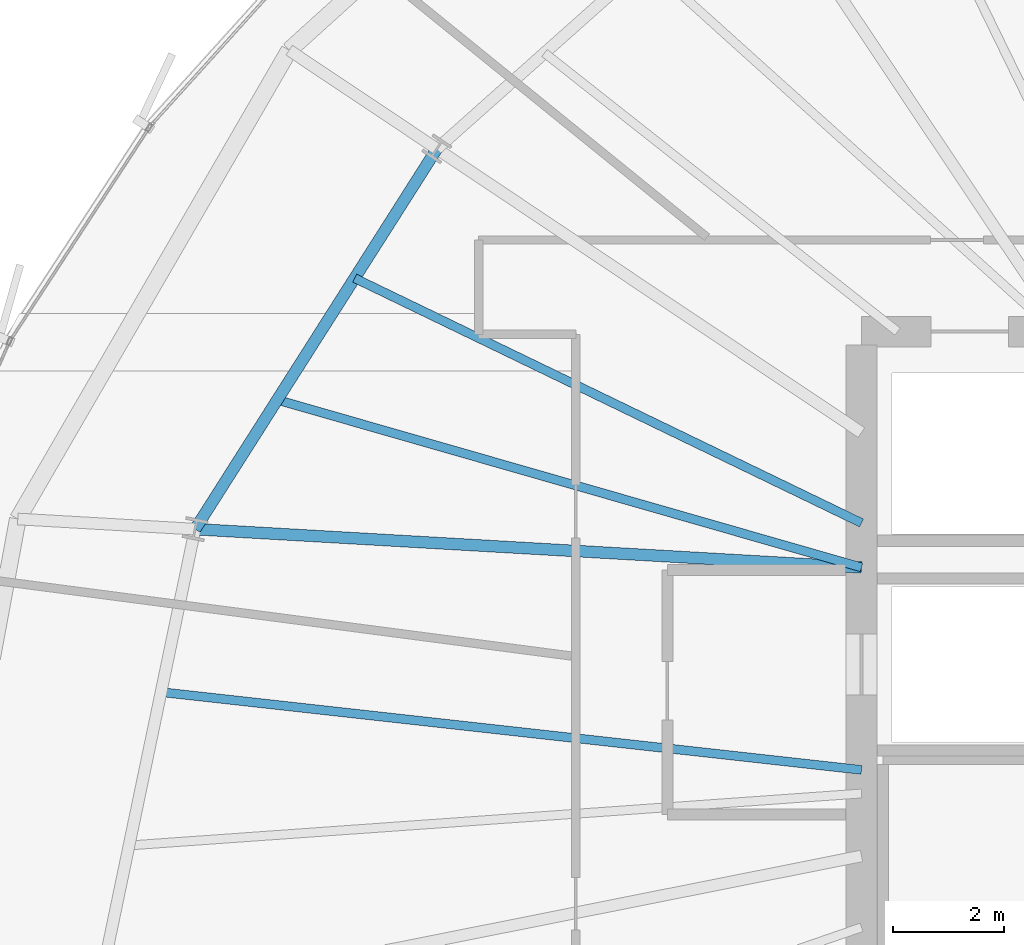
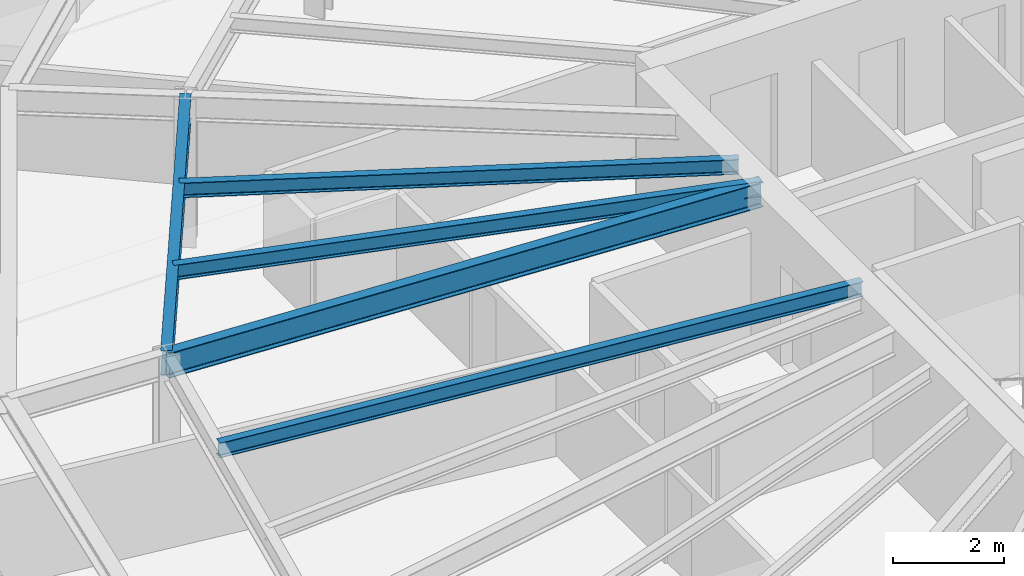
# One storey, part 11 of 36: 5 beams.
"""IFC4 building model written with IfcOpenShell, lengths in metres."""

import ifcopenshell
import ifcopenshell.guid

model = None  # the IFC model being written
_history = None  # IfcOwnerHistory: only IFC2X3 demands one
_inside = {}  # id of a spatial element -> (the spatial element, [elements in it])
_under = {}  # id of a project, library or spatial element -> (it, [spatial elements below it])
_declared = {}  # id of a project -> (the project, [libraries it declares])
_typed = {}  # id of a type object -> (the type object, [elements of that type])
_made_of = {}  # id of a material, layer set ... -> (it, [elements and type objects made of it])


def new_model(schema):
    """Start an empty IFC model of exactly this schema.

    Asked for "IFC4X3", IfcOpenShell would pick the latest addendum, in which some entities
    have other attributes; the version numbers below select the first issue.
    IFC2X3 requires an IfcOwnerHistory on every rooted entity: one is made here for all.
    """
    global model, _history
    if schema == "IFC4X3":
        model = ifcopenshell.file(schema_version=(4, 3, 0, 0))
    else:
        model = ifcopenshell.file(schema=schema)
    _inside.clear()
    _under.clear()
    _declared.clear()
    _typed.clear()
    _made_of.clear()
    _history = None
    if model.schema == "IFC2X3":
        org = make("IfcOrganization", Name="unknown")
        user = make(
            "IfcPersonAndOrganization",
            ThePerson=make("IfcPerson", FamilyName="unknown"),
            TheOrganization=org,
        )
        app = make(
            "IfcApplication",
            ApplicationDeveloper=org,
            Version="unknown",
            ApplicationFullName="unknown",
            ApplicationIdentifier="unknown",
        )
        _history = make(
            "IfcOwnerHistory",
            OwningUser=user,
            OwningApplication=app,
            ChangeAction="ADDED",
            CreationDate=0,
        )
    return model


def make(cls, **values):
    """One entity of the class cls with the attributes given. An attribute that is None is left unset."""
    return model.create_entity(
        cls, **{name: value for name, value in values.items() if value is not None}
    )


def rooted(cls, **values):
    """An entity with a GlobalId (a new one), such as an element, a storey or a relation."""
    return make(cls, GlobalId=ifcopenshell.guid.new(), OwnerHistory=_history, **values)


def si_unit(unit_type, name, prefix=None):
    """IfcSIUnit, for example si_unit("LENGTHUNIT", "METRE", prefix="MILLI")."""
    return make("IfcSIUnit", UnitType=unit_type, Prefix=prefix, Name=name)


def assignment(units):
    """IfcUnitAssignment: the units of a project."""
    return None if units is None else make("IfcUnitAssignment", Units=units)


def point(xyz):
    """IfcCartesianPoint."""
    return None if xyz is None else make("IfcCartesianPoint", Coordinates=xyz)


def direction(xyz):
    """IfcDirection."""
    return None if xyz is None else make("IfcDirection", DirectionRatios=xyz)


def frame(location, z_axis=None, x_axis=None):
    """IfcAxis2Placement3D, a coordinate frame: its origin and axes. An axis left out is left unset."""
    return make(
        "IfcAxis2Placement3D",
        Location=point(location),
        Axis=direction(z_axis),
        RefDirection=direction(x_axis),
    )


def frame_2d(location, x_axis=None):
    """IfcAxis2Placement2D, a coordinate frame in the plane: its origin and x axis."""
    return make(
        "IfcAxis2Placement2D", Location=point(location), RefDirection=direction(x_axis)
    )


def origin():
    """The frame at (0, 0, 0) with its axes left unset."""
    return frame((0.0, 0.0, 0.0))


def origin_2d():
    """The frame at (0, 0) in the plane with its x axis left unset."""
    return frame_2d((0.0, 0.0))


def place(relative_to, where):
    """IfcLocalPlacement: puts the frame where relative to a parent placement (None: the world)."""
    return make(
        "IfcLocalPlacement", PlacementRelTo=relative_to, RelativePlacement=where
    )


def context(
    kind, dimensions, precision=None, world=None, true_north=None, identifier=None
):
    """IfcGeometricRepresentationContext, for example the 3D "Model" context."""
    return make(
        "IfcGeometricRepresentationContext",
        ContextIdentifier=identifier,
        ContextType=kind,
        CoordinateSpaceDimension=dimensions,
        Precision=precision,
        WorldCoordinateSystem=world,
        TrueNorth=true_north,
    )


def subcontext(parent, identifier, kind, view, scale=None):
    """IfcGeometricRepresentationSubContext, for example "Body" below "Model"."""
    return make(
        "IfcGeometricRepresentationSubContext",
        ContextIdentifier=identifier,
        ContextType=kind,
        ParentContext=parent,
        TargetScale=scale,
        TargetView=view,
    )


def project(units=None, contexts=None):
    """IfcProject with its units and contexts."""
    return rooted(
        "IfcProject",
        Name="project",
        RepresentationContexts=contexts,
        UnitsInContext=assignment(units),
    )


def spatial(cls, under=None, at=None, **own):
    """A site, building, storey or space (cls), placed at a placement, below another one or the project."""
    s = rooted(cls, ObjectPlacement=at, **own)
    if under is not None:
        _under.setdefault(under.id(), (under, []))[1].append(s)
    return s


def profile(cls, at=None, kind="AREA", **sizes):
    """A parametric profile (cls). Its sizes go by their IFC names, for example OverallWidth=200.0."""
    return make(cls, ProfileType=kind, Position=at, **sizes)


def i_section(**sizes):
    """IfcIShapeProfileDef."""
    return profile("IfcIShapeProfileDef", **sizes)


def extrude(swept, where, along, depth):
    """IfcExtrudedAreaSolid: the profile swept, set in the frame where, extruded along a direction by depth."""
    return make(
        "IfcExtrudedAreaSolid",
        SweptArea=swept,
        Position=where,
        ExtrudedDirection=direction(along),
        Depth=depth,
    )


def shape(context_of_items, identifier, shape_type, items):
    """IfcShapeRepresentation: the items that make up one representation, for example the "Body"."""
    return make(
        "IfcShapeRepresentation",
        ContextOfItems=context_of_items,
        RepresentationIdentifier=identifier,
        RepresentationType=shape_type,
        Items=items,
    )


def source(mapping_origin, context_of_items, identifier, shape_type, items):
    """IfcRepresentationMap: a shape defined once, which mapped items show again and again."""
    return make(
        "IfcRepresentationMap",
        MappingOrigin=mapping_origin,
        MappedRepresentation=shape(context_of_items, identifier, shape_type, items),
    )


def transform(
    local_origin,
    x_axis=None,
    y_axis=None,
    z_axis=None,
    scale=None,
    scale2=None,
    scale3=None,
    uniform=True,
):
    """IfcCartesianTransformationOperator3D, or its non-uniform kind. x_axis, y_axis, z_axis: its Axis1, 2, 3."""
    if uniform:
        return make(
            "IfcCartesianTransformationOperator3D",
            Axis1=direction(x_axis),
            Axis2=direction(y_axis),
            LocalOrigin=point(local_origin),
            Scale=scale,
            Axis3=direction(z_axis),
        )
    return make(
        "IfcCartesianTransformationOperator3DnonUniform",
        Axis1=direction(x_axis),
        Axis2=direction(y_axis),
        LocalOrigin=point(local_origin),
        Scale=scale,
        Axis3=direction(z_axis),
        Scale2=scale2,
        Scale3=scale3,
    )


def mapped(mapping_source, mapping_target):
    """IfcMappedItem: shows the shape of a source again, moved by a transform."""
    return make(
        "IfcMappedItem", MappingSource=mapping_source, MappingTarget=mapping_target
    )


def material(Name=None, Category=None):
    """IfcMaterial."""
    return make("IfcMaterial", Name=Name, Category=Category)


def material_profile(
    of_material, cross_section, Name=None, Category=None, Priority=None
):
    """IfcMaterialProfile: a cross section and its material."""
    return make(
        "IfcMaterialProfile",
        Name=Name,
        Material=of_material,
        Profile=cross_section,
        Priority=Priority,
        Category=Category,
    )


def profile_set(profiles, Name=None, composite=None):
    """IfcMaterialProfileSet."""
    return make(
        "IfcMaterialProfileSet",
        Name=Name,
        MaterialProfiles=profiles,
        CompositeProfile=composite,
    )


def made_of(thing, what):
    """Note that an element or type object is made of a material, layer set ...; save() writes the relation."""
    if what is not None:
        _made_of.setdefault(what.id(), (what, []))[1].append(thing)
    return thing


def type_object(cls, material=None, **own):
    """A type object (cls), such as IfcWallType, which elements share."""
    return made_of(rooted(cls, **own), material)


def element(
    cls,
    number,
    at=None,
    inside=None,
    cuts=None,
    type_object=None,
    material=None,
    context=None,
    identifier="Body",
    shape_type=None,
    held_by="IfcProductDefinitionShape",
    body=None,
    shapes=None,
    **own,
):
    """One element of the class cls, such as IfcWall. Its Tag is "e" and its number.

    at: its placement. inside: the storey or other place that contains it. cuts: it is an
    opening in that element (IfcRelVoidsElement). A single representation is given by context,
    identifier, shape_type and body (its items); several are given by shapes. held_by: the class
    of the entity that holds the representations. save() writes the other relations.
    """
    e = rooted(cls, Tag="e%d" % number, ObjectPlacement=at, **own)
    if body is not None:
        shapes = [shape(context, identifier, shape_type, body)]
    if shapes is not None:
        e.Representation = make(held_by, Representations=shapes)
    if inside is not None:
        _inside.setdefault(inside.id(), (inside, []))[1].append(e)
    if cuts is not None:
        rooted(
            "IfcRelVoidsElement", RelatingBuildingElement=cuts, RelatedOpeningElement=e
        )
    if type_object is not None:
        _typed.setdefault(type_object.id(), (type_object, []))[1].append(e)
    return made_of(e, material)


def aggregate(whole, parts):
    """IfcRelAggregates: a whole, such as a stair, and the parts it consists of."""
    return rooted("IfcRelAggregates", RelatingObject=whole, RelatedObjects=parts)


def save(model, path):
    """Write the relations noted so far, then the file.

    IfcRelAggregates (storeys below a building ...), IfcRelContainedInSpatialStructure (elements
    in a storey), IfcRelDefinesByType, IfcRelAssociatesMaterial and IfcRelDeclares: one each for
    every whole, place, type object, material and project.
    """
    for whole, parts in _under.values():
        aggregate(whole, parts)
    for where, things in _inside.values():
        rooted(
            "IfcRelContainedInSpatialStructure",
            RelatedElements=things,
            RelatingStructure=where,
        )
    for kind, things in _typed.values():
        rooted("IfcRelDefinesByType", RelatedObjects=things, RelatingType=kind)
    for what, things in _made_of.values():
        rooted("IfcRelAssociatesMaterial", RelatedObjects=things, RelatingMaterial=what)
    for by, libraries in _declared.values():
        rooted("IfcRelDeclares", RelatingContext=by, RelatedDefinitions=libraries)
    model.write(path)


model = new_model("IFC4")

# Units and contexts
model_context = context("Model", 3, precision=1e-05, world=origin(), true_north=direction((0.0, 1.0)))
body_context = subcontext(model_context, "Body", "Model", "MODEL_VIEW")
ifc_project = project(units=[si_unit("LENGTHUNIT", "METRE"), si_unit("AREAUNIT", "SQUARE_METRE"), si_unit("VOLUMEUNIT", "CUBIC_METRE"), si_unit("PLANEANGLEUNIT", "RADIAN"), si_unit("MASSUNIT", "GRAM", prefix="KILO"), si_unit("THERMODYNAMICTEMPERATUREUNIT", "KELVIN")], contexts=[model_context])

# Site, building, storey
site_placement = place(None, origin())
site = spatial("IfcSite", under=ifc_project, at=site_placement, CompositionType="ELEMENT")
building_placement = place(site_placement, origin())
building = spatial("IfcBuilding", under=site, at=building_placement, Name="Kethvar Cultural Tower", CompositionType="ELEMENT")
storey_placement = place(building_placement, frame((0.0, 0.0, 143.0)))
storey = spatial("IfcBuildingStorey", under=building, at=storey_placement, Name="L36", CompositionType="ELEMENT", Elevation=143.0)

# Beams
ifc_material = material(Name="Steel S355J2", Category="steel")
ifc_material_profile_1 = material_profile(ifc_material, i_section(OverallWidth=0.2099609375, OverallDepth=0.550048828125, WebThickness=0.010986328125, FlangeThickness=0.01708984375, FilletRadius=0.02392578125, at=origin_2d()), Name="Steel S355J2 — IPE550")
ifc_profile_set_1 = profile_set([ifc_material_profile_1], Name="Steel S355J2 — IPE550")
beam_type_1 = type_object("IfcBeamType", Name="BM-IPE550", PredefinedType="BEAM", material=ifc_profile_set_1)
shared_shape_1 = source(origin(), body_context, "Body", "SweptSolid", [
    extrude(i_section(OverallWidth=0.2099609375, OverallDepth=0.550048828125, WebThickness=0.010986328125, FlangeThickness=0.01708984375, FilletRadius=0.02392578125, at=origin_2d()), origin(), (0.0, 0.0, 1.0), 12.03125),
])
beam_1_placement = place(storey_placement, frame((38.0, 31.25, 3.02294921875), z_axis=(-0.998355544741, 0.057325441856, 0.0), x_axis=(-0.057325441856, -0.998355544741, 0.0)))
element("IfcBeam", 1, at=beam_1_placement, inside=storey, type_object=beam_type_1, Name="L36 Primary Radial Beam RB-08", PredefinedType="BEAM", context=body_context, shape_type="MappedRepresentation", body=[
    mapped(shared_shape_1, transform((0.0, 0.0, 0.0), scale=1.0)),
])
shared_shape_2 = source(origin(), body_context, "Body", "SweptSolid", [
    extrude(i_section(OverallWidth=0.2099609375, OverallDepth=0.550048828125, WebThickness=0.010986328125, FlangeThickness=0.01708984375, FilletRadius=0.02392578125, at=origin_2d()), origin(), (0.0, 0.0, 1.0), 8.122314453125),
])
beam_2_placement = place(storey_placement, frame((30.345947265625, 38.794189453125, 3.02294921875), z_axis=(-0.536478664647, -0.843913883272, 0.0), x_axis=(0.843913883272, -0.536478664647, 0.0)))
element("IfcBeam", 2, at=beam_2_placement, inside=storey, type_object=beam_type_1, Name="L36 Column Ring Tie Beam CR-07", PredefinedType="BEAM", context=body_context, shape_type="MappedRepresentation", body=[
    mapped(shared_shape_2, transform((0.0, 0.0, 0.0), scale=1.0)),
])
ifc_material_profile_2 = material_profile(ifc_material, i_section(OverallWidth=0.159912109375, OverallDepth=0.330078125, WebThickness=0.007568359375, FlangeThickness=0.011474609375, FilletRadius=0.01806640625, at=origin_2d()), Name="Steel S355J2 — IPE330")
ifc_profile_set_2 = profile_set([ifc_material_profile_2], Name="Steel S355J2 — IPE330")
beam_type_2 = type_object("IfcBeamType", Name="BM-J330", PredefinedType="JOIST", material=ifc_profile_set_2)
shared_shape_3 = source(origin(), body_context, "Body", "SweptSolid", [
    extrude(i_section(OverallWidth=0.159912109375, OverallDepth=0.330078125, WebThickness=0.007568359375, FlangeThickness=0.011474609375, FilletRadius=0.01806640625, at=origin_2d()), origin(), (0.0, 0.0, 1.0), 10.1455078125),
])
beam_3_placement = place(storey_placement, frame((38.0, 32.05078125, 3.133056640625), z_axis=(-0.90045122575, 0.434956997927, 0.0), x_axis=(-0.434956997927, -0.90045122575, 0.0)))
element("IfcBeam", 3, at=beam_3_placement, inside=storey, type_object=beam_type_2, Name="L36 Composite Floor Joist J-07A", PredefinedType="JOIST", context=body_context, shape_type="MappedRepresentation", body=[
    mapped(shared_shape_3, transform((0.0, 0.0, 0.0), scale=1.0)),
])
shared_shape_4 = source(origin(), body_context, "Body", "SweptSolid", [
    extrude(i_section(OverallWidth=0.159912109375, OverallDepth=0.330078125, WebThickness=0.007568359375, FlangeThickness=0.011474609375, FilletRadius=0.01806640625, at=origin_2d()), origin(), (0.0, 0.0, 1.0), 10.95458984375),
])
beam_4_placement = place(storey_placement, frame((38.0, 31.25, 3.133056640625), z_axis=(-0.96124170623, 0.275707058676, 0.0), x_axis=(-0.275707058676, -0.96124170623, 0.0)))
element("IfcBeam", 4, at=beam_4_placement, inside=storey, type_object=beam_type_2, Name="L36 Composite Floor Joist J-07B", PredefinedType="JOIST", context=body_context, shape_type="MappedRepresentation", body=[
    mapped(shared_shape_4, transform((0.0, 0.0, 0.0), scale=1.0)),
])
shared_shape_5 = source(origin(), body_context, "Body", "SweptSolid", [
    extrude(i_section(OverallWidth=0.159912109375, OverallDepth=0.330078125, WebThickness=0.007568359375, FlangeThickness=0.011474609375, FilletRadius=0.01806640625, at=origin_2d()), origin(), (0.0, 0.0, 1.0), 12.7021484375),
])
beam_5_placement = place(storey_placement, frame((38.0, 27.60009765625, 3.133056640625), z_axis=(-0.993884906591, 0.110420978309, 0.0), x_axis=(-0.110420978309, -0.993884906591, 0.0)))
element("IfcBeam", 5, at=beam_5_placement, inside=storey, type_object=beam_type_2, Name="L36 Composite Floor Joist J-08A", PredefinedType="JOIST", context=body_context, shape_type="MappedRepresentation", body=[
    mapped(shared_shape_5, transform((0.0, 0.0, 0.0), scale=1.0)),
])

save(model, "model.ifc")
